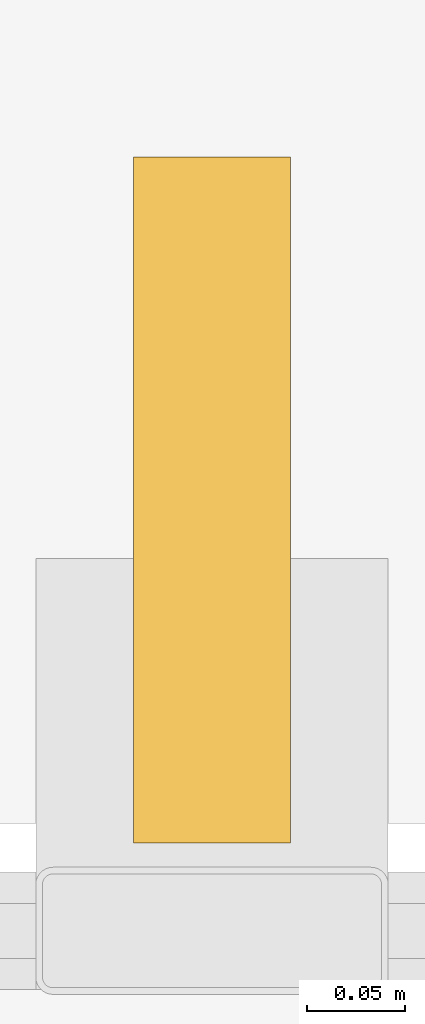
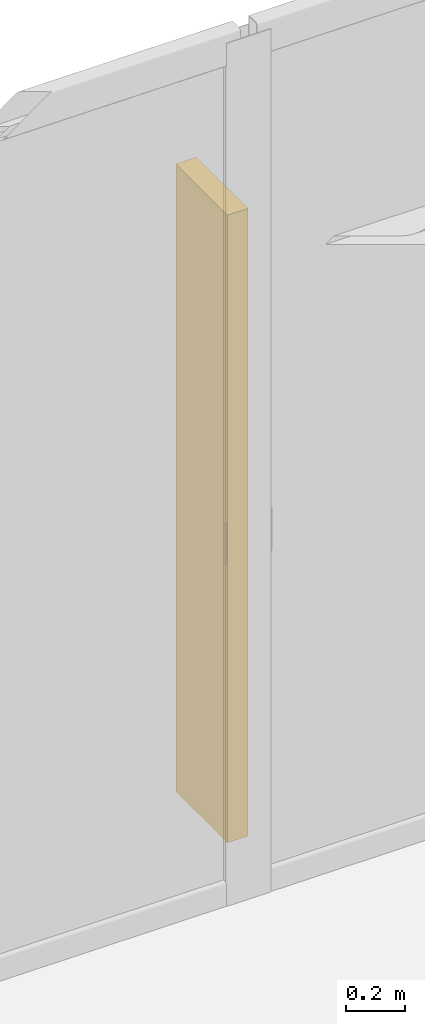
# One storey, part 38 of 38: 1 shading device.
"""IFC4 building model written with IfcOpenShell, lengths in metres."""

from ifc_helpers import new_model, si_unit, direction, frame, origin, origin_2d, place, context, subcontext, project, spatial, rectangle, extrude, source, transform, mapped, material, type_object, element, save


model = new_model("IFC4")

# Units and contexts
model_context = context("Model", 3, precision=1e-05, world=origin(), true_north=direction((0.0, 1.0)))
body_context = subcontext(model_context, "Body", "Model", "MODEL_VIEW")
ifc_project = project(units=[si_unit("LENGTHUNIT", "METRE"), si_unit("AREAUNIT", "SQUARE_METRE"), si_unit("VOLUMEUNIT", "CUBIC_METRE"), si_unit("PLANEANGLEUNIT", "RADIAN"), si_unit("MASSUNIT", "GRAM", prefix="KILO")], contexts=[model_context])

# Site, building, storey
site_placement = place(None, origin())
site = spatial("IfcSite", under=ifc_project, at=site_placement, CompositionType="ELEMENT")
building_placement = place(site_placement, origin())
building = spatial("IfcBuilding", under=site, at=building_placement, Name="Serunith Strait Residences", CompositionType="ELEMENT")
storey_placement = place(building_placement, frame((0.0, 0.0, 241.25)))
storey = spatial("IfcBuildingStorey", under=building, at=storey_placement, Name="L60", CompositionType="ELEMENT", Elevation=241.25)

# Shading device
ifc_material = material(Name="Pale-Champagne Perforated Aluminium Fin", Category="aluminium")
shading_device_type = type_object("IfcShadingDeviceType", Name="SHD-DIAG-FIN", PredefinedType="AWNING", material=ifc_material)
shared_shape = source(origin(), body_context, "Body", "SweptSolid", [
    extrude(rectangle(XDim=0.080078125, YDim=0.35009765625, at=origin_2d()), origin(), (0.0, 0.0, 1.0), 2.60009765625),
])
shading_device_placement = place(storey_placement, frame((42.60009765625, 49.419921875, 0.199951171875), z_axis=(0.0, 0.0, 1.0), x_axis=(1.0, 0.0, 0.0)))
element("IfcShadingDevice", 1, at=shading_device_placement, inside=storey, type_object=shading_device_type, Name="L60 Diagonal Rhythm Solar Fin N", PredefinedType="AWNING", context=body_context, shape_type="MappedRepresentation", body=[
    mapped(shared_shape, transform((0.0, 0.0, 0.0), scale=1.0)),
])

save(model, "model.ifc")
